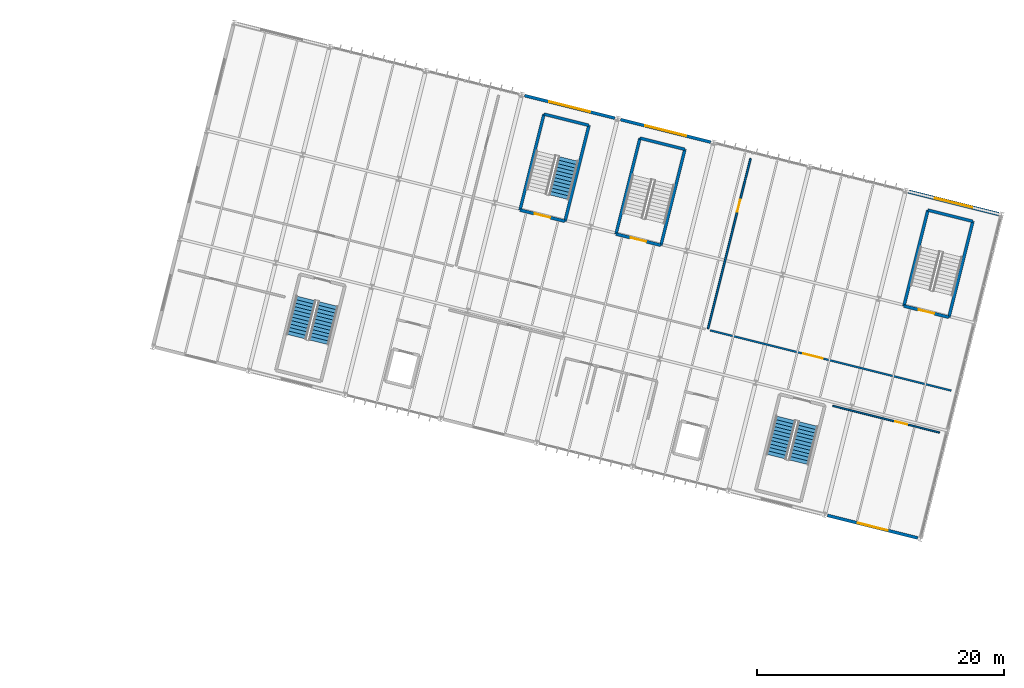
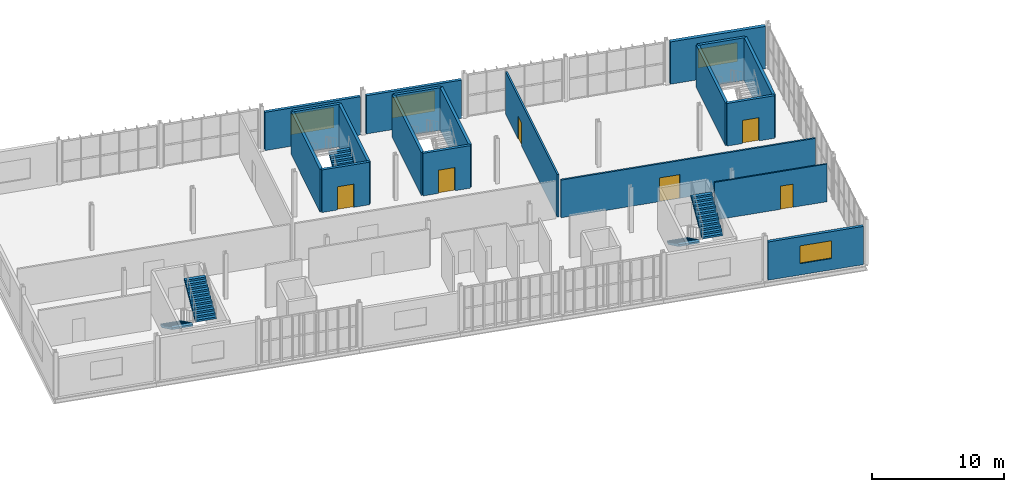
# One storey, part 47 of 61: 19 walls, 6 doors, 5 stair flights, 4 windows, 10 openings, 3 elements without a shape of their own.
"""IFC4 building model written with IfcOpenShell, lengths in metres."""

from ifc_helpers import new_model, si_unit, derived_unit, direction, frame, frame_2d, origin, place, context, subcontext, project, spatial, polyline, rectangle, outline, extrude, material, layer, layer_set, type_object, element, fill, aggregate, save


model = new_model("IFC4")

# Units and contexts
model_context = context("Model", 3, precision=1e-05, world=origin(), true_north=direction((0.0, 1.0)))
body_context = subcontext(model_context, "Body", "Model", "MODEL_VIEW")
ifc_project = project(units=[si_unit("LENGTHUNIT", "METRE"), si_unit("AREAUNIT", "SQUARE_METRE"), si_unit("VOLUMEUNIT", "CUBIC_METRE"), si_unit("PLANEANGLEUNIT", "RADIAN"), si_unit("MASSUNIT", "GRAM", prefix="KILO"), si_unit("THERMODYNAMICTEMPERATUREUNIT", "KELVIN"), si_unit("TIMEUNIT", "SECOND"), derived_unit("THERMALTRANSMITTANCEUNIT", [(si_unit("MASSUNIT", "GRAM", prefix="KILO"), 1), (si_unit("THERMODYNAMICTEMPERATUREUNIT", "KELVIN"), -1), (si_unit("TIMEUNIT", "SECOND"), -3)])], contexts=[model_context])

# Site, building, storey
site_placement = place(None, origin())
site = spatial("IfcSite", under=ifc_project, at=site_placement, CompositionType="ELEMENT")
building_placement = place(site_placement, origin())
building = spatial("IfcBuilding", under=site, at=building_placement, Name="Cambertide Market Hall", CompositionType="ELEMENT")
storey_placement = place(building_placement, frame((0.0, 0.0, 9.89990234375)))
storey = spatial("IfcBuildingStorey", under=building, at=storey_placement, Name="L03", CompositionType="ELEMENT", Elevation=9.89990234375)

# Wall, opening, door
ifc_material_1 = material(Name="Autoclaved Aerated Concrete Blockwork M7.5", Category="masonry")
ifc_layer_1 = layer(ifc_material_1, 0.14990234375, Name="Culinary Classroom Acoustic Partition 150")
ifc_layer_set_1 = layer_set([ifc_layer_1], Name="Autoclaved Aerated Concrete Blockwork M7.5")
wall_type_1 = type_object("IfcWallType", Name="Culinary Classroom Acoustic Partition 150", PredefinedType="PARTITIONING", material=ifc_layer_set_1)
wall_1_placement = place(storey_placement, frame((153.06787109375, 101.3291015625, 0.0), z_axis=(0.0, 0.0, 1.0), x_axis=(0.970142500145, -0.242535625036, 0.0)))
wall_1 = element("IfcWall", 1, at=wall_1_placement, inside=storey, type_object=wall_type_1, Name="Level 3 Interior Wall IW-L03-V4C-3", PredefinedType="PARTITIONING", context=body_context, shape_type="SweptSolid", body=[
    extrude(rectangle(XDim=20.10009765625, YDim=0.14990234375, at=frame_2d((10.050048828125, 0.0))), origin(), (0.0, 0.0, 1.0), 3.4951171875),
])
opening_1_placement = place(wall_1_placement, frame((7.77001953125, 0.0, 0.0)))
opening_1 = element("IfcOpeningElement", 2, at=opening_1_placement, cuts=wall_1, Name="Opening ID-01", PredefinedType="OPENING", context=body_context, shape_type="SweptSolid", body=[
    extrude(rectangle(XDim=1.60009765625, YDim=2.199951171875, at=frame_2d((0.800048828125, 1.10009765625))), frame((0.0, 0.0849609375, 0.0), z_axis=(0.0, -1.0, 0.0), x_axis=(1.0, 0.0, 0.0)), (0.0, 0.0, 1.0), 0.169921875),
])
ifc_material_2 = material(Name="Champagne Marine Anodized Aluminium 6063-T6 AA25", Category="aluminium")
door_type_1 = type_object("IfcDoorType", Name="Classroom & Hall Double Door 1600x2200", OperationType="DOUBLE_DOOR_SINGLE_SWING", PredefinedType="DOOR", material=ifc_material_2)
door_1_placement = place(opening_1_placement, origin())
door_1 = element("IfcDoor", 3, at=door_1_placement, inside=storey, type_object=door_type_1, Name="Level 3 Door IW-L03-V4C-3-DR1", OperationType="DOUBLE_DOOR_SINGLE_SWING", OverallHeight=2.199951171875, OverallWidth=1.60009765625, PredefinedType="DOOR", context=body_context, shape_type="SweptSolid", body=[
    extrude(rectangle(XDim=1.60009765625, YDim=2.199951171875, at=frame_2d((0.800048828125, 1.10009765625))), frame((0.0, 0.02490234375, 0.0), z_axis=(0.0, -1.0, 0.0), x_axis=(1.0, 0.0, 0.0)), (0.0, 0.0, 1.0), 0.050048828125),
])
fill(opening_1, door_1)

wall_2_placement = place(storey_placement, frame((152.893310546875, 101.455322265625, 0.0), z_axis=(0.0, 0.0, 1.0), x_axis=(0.24254371592, 0.970140477388, 0.0)))
wall_2 = element("IfcWall", 4, at=wall_2_placement, inside=storey, type_object=wall_type_1, Name="Level 3 Interior Wall IW-L03-V4DIV-43", PredefinedType="PARTITIONING", context=body_context, shape_type="SweptSolid", body=[
    extrude(rectangle(XDim=14.199951171875, YDim=0.14990234375, at=frame_2d((7.10009765625, 0.0))), origin(), (0.0, 0.0, 1.0), 3.940185546875),
])
opening_2_placement = place(wall_2_placement, frame((9.76806640625, 0.0, 0.0)))
opening_2 = element("IfcOpeningElement", 5, at=opening_2_placement, cuts=wall_2, Name="Opening ID-03", PredefinedType="OPENING", context=body_context, shape_type="SweptSolid", body=[
    extrude(rectangle(XDim=1.0, YDim=2.14990234375, at=frame_2d((0.5, 1.074951171875))), frame((0.0, 0.0849609375, 0.0), z_axis=(0.0, -1.0, 0.0), x_axis=(1.0, 0.0, 0.0)), (0.0, 0.0, 1.0), 0.169921875),
])
ifc_material_3 = material(Name="Champagne Marine Anodized Aluminium 6063-T6 AA25", Category="aluminium")
door_type_2 = type_object("IfcDoorType", Name="Accessible Room Single Door 1000x2150", OperationType="NOTDEFINED", PredefinedType="DOOR", material=ifc_material_3)
door_2_placement = place(opening_2_placement, origin())
door_2 = element("IfcDoor", 6, at=door_2_placement, inside=storey, type_object=door_type_2, Name="Level 3 Door IW-L03-V4DIV-43-DR1", OperationType="SINGLE_SWING_RIGHT", OverallHeight=2.14990234375, OverallWidth=1.0, PredefinedType="DOOR", context=body_context, shape_type="SweptSolid", body=[
    extrude(rectangle(XDim=1.0, YDim=2.14990234375, at=frame_2d((0.5, 1.074951171875))), frame((0.0, 0.02490234375, 0.0), z_axis=(0.0, -1.0, 0.0), x_axis=(1.0, 0.0, 0.0)), (0.0, 0.0, 1.0), 0.050048828125),
])
fill(opening_2, door_2)

# Wall, opening, window
ifc_material_4 = material(Name="Autoclaved Aerated Concrete Blockwork M7.5", Category="masonry")
ifc_layer_2 = layer(ifc_material_4, 0.25, Name="Insulated AAC Exterior Infill Wall 250")
ifc_layer_set_2 = layer_set([ifc_layer_2], Name="Autoclaved Aerated Concrete Blockwork M7.5")
wall_type_2 = type_object("IfcWallType", Name="Insulated AAC Exterior Infill Wall 250", PredefinedType="SOLIDWALL", material=ifc_layer_set_2)
wall_3_placement = place(storey_placement, frame((138.064697265625, 120.314697265625, 0.0), z_axis=(0.0, 0.0, 1.0), x_axis=(0.970146319544, -0.242520346931, 0.0)))
wall_3 = element("IfcWall", 7, at=wall_3_placement, inside=storey, type_object=wall_type_2, Name="Level 3 Exterior Wall EW-L03-V4N-4", PredefinedType="SOLIDWALL", context=body_context, shape_type="SweptSolid", body=[
    extrude(rectangle(XDim=7.52001953125, YDim=0.25, at=frame_2d((3.760009765625, 0.0))), origin(), (0.0, 0.0, 1.0), 3.545166015625),
])
opening_3_placement = place(wall_3_placement, frame((2.06005859375, 0.0, 1.0)))
opening_3 = element("IfcOpeningElement", 8, at=opening_3_placement, cuts=wall_3, Name="Opening WN-08", PredefinedType="OPENING", context=body_context, shape_type="SweptSolid", body=[
    extrude(rectangle(XDim=3.39990234375, YDim=1.89990234375, at=frame_2d((1.699951171875, 0.949951171875))), frame((0.0, 0.135009765625, 0.0), z_axis=(0.0, -1.0, 0.0), x_axis=(1.0, 0.0, 0.0)), (0.0, 0.0, 1.0), 0.27001953125),
])
ifc_material_5 = material(Name="Low-E Laminated Insulated Glass", Category="glass")
window_type_1 = type_object("IfcWindowType", Name="Classroom Daylight Window 3400x1900", PartitioningType="SINGLE_PANEL", PredefinedType="WINDOW", material=ifc_material_5)
window_1_placement = place(opening_3_placement, origin())
window_1 = element("IfcWindow", 9, at=window_1_placement, inside=storey, type_object=window_type_1, Name="Level 3 Window EW-L03-V4N-4-WN", OverallHeight=1.89990234375, OverallWidth=3.39990234375, PartitioningType="SINGLE_PANEL", PredefinedType="WINDOW", context=body_context, shape_type="SweptSolid", body=[
    extrude(rectangle(XDim=3.39990234375, YDim=1.89990234375, at=frame_2d((1.699951171875, 0.949951171875))), frame((0.0, 0.030029296875, 0.0), z_axis=(0.0, -1.0, 0.0), x_axis=(1.0, 0.0, 0.0)), (0.0, 0.0, 1.0), 0.06005859375),
])
fill(opening_3, window_1)

wall_4_placement = place(storey_placement, frame((145.825927734375, 118.37451171875, 0.0), z_axis=(0.0, 0.0, 1.0), x_axis=(0.970138680536, -0.242550902961, 0.0)))
wall_4 = element("IfcWall", 10, at=wall_4_placement, inside=storey, type_object=wall_type_2, Name="Level 3 Exterior Wall EW-L03-V4N-5", PredefinedType="SOLIDWALL", context=body_context, shape_type="SweptSolid", body=[
    extrude(rectangle(XDim=7.52001953125, YDim=0.25, at=frame_2d((3.760009765625, 0.0))), origin(), (0.0, 0.0, 1.0), 3.545166015625),
])
opening_4_placement = place(wall_4_placement, frame((2.06005859375, 0.0, 1.0)))
opening_4 = element("IfcOpeningElement", 11, at=opening_4_placement, cuts=wall_4, Name="Opening WN-08", PredefinedType="OPENING", context=body_context, shape_type="SweptSolid", body=[
    extrude(rectangle(XDim=3.39990234375, YDim=1.89990234375, at=frame_2d((1.699951171875, 0.949951171875))), frame((0.0, 0.135009765625, 0.0), z_axis=(0.0, -1.0, 0.0), x_axis=(1.0, 0.0, 0.0)), (0.0, 0.0, 1.0), 0.27001953125),
])
window_2_placement = place(opening_4_placement, origin())
window_2 = element("IfcWindow", 12, at=window_2_placement, inside=storey, type_object=window_type_1, Name="Level 3 Window EW-L03-V4N-5-WN", OverallHeight=1.89990234375, OverallWidth=3.39990234375, PartitioningType="SINGLE_PANEL", PredefinedType="WINDOW", context=body_context, shape_type="SweptSolid", body=[
    extrude(rectangle(XDim=3.39990234375, YDim=1.89990234375, at=frame_2d((1.699951171875, 0.949951171875))), frame((0.0, 0.030029296875, 0.0), z_axis=(0.0, -1.0, 0.0), x_axis=(1.0, 0.0, 0.0)), (0.0, 0.0, 1.0), 0.06005859375),
])
fill(opening_4, window_2)

wall_5_placement = place(storey_placement, frame((169.856201171875, 84.535888671875, 0.0), z_axis=(0.0, 0.0, 1.0), x_axis=(-0.970138680536, 0.242550902961, 0.0)))
wall_5 = element("IfcWall", 13, at=wall_5_placement, inside=storey, type_object=wall_type_2, Name="Level 3 Exterior Wall EW-L03-V4S-8", PredefinedType="SOLIDWALL", context=body_context, shape_type="SweptSolid", body=[
    extrude(rectangle(XDim=7.52001953125, YDim=0.25, at=frame_2d((3.760009765625, 0.0))), origin(), (0.0, 0.0, 1.0), 3.545166015625),
])
opening_5_placement = place(wall_5_placement, frame((2.510009765625, 0.0, 1.050048828125)))
opening_5 = element("IfcOpeningElement", 14, at=opening_5_placement, cuts=wall_5, Name="Opening WN-09", PredefinedType="OPENING", context=body_context, shape_type="SweptSolid", body=[
    extrude(rectangle(XDim=2.5, YDim=1.64990234375, at=frame_2d((1.25, 0.824951171875))), frame((0.0, 0.135009765625, 0.0), z_axis=(0.0, -1.0, 0.0), x_axis=(1.0, 0.0, 0.0)), (0.0, 0.0, 1.0), 0.27001953125),
])
ifc_material_6 = material(Name="Low-E Laminated Insulated Glass", Category="glass")
window_type_2 = type_object("IfcWindowType", Name="Market Admin Office Window 2500x1650", PartitioningType="SINGLE_PANEL", PredefinedType="WINDOW", material=ifc_material_6)
window_3_placement = place(opening_5_placement, origin())
window_3 = element("IfcWindow", 15, at=window_3_placement, inside=storey, type_object=window_type_2, Name="Level 3 Window EW-L03-V4S-8-WN", OverallHeight=1.64990234375, OverallWidth=2.5, PartitioningType="SINGLE_PANEL", PredefinedType="WINDOW", context=body_context, shape_type="SweptSolid", body=[
    extrude(rectangle(XDim=2.5, YDim=1.64990234375, at=frame_2d((1.25, 0.824951171875))), frame((0.0, 0.030029296875, 0.0), z_axis=(0.0, -1.0, 0.0), x_axis=(1.0, 0.0, 0.0)), (0.0, 0.0, 1.0), 0.06005859375),
])
fill(opening_5, window_3)

# Wall, opening, door
ifc_material_7 = material(Name="Autoclaved Aerated Concrete Blockwork M7.5", Category="masonry")
ifc_layer_3 = layer(ifc_material_7, 0.125, Name="Market Stall & Office Partition 125")
ifc_layer_set_3 = layer_set([ifc_layer_3], Name="Autoclaved Aerated Concrete Blockwork M7.5")
wall_type_3 = type_object("IfcWallType", Name="Market Stall & Office Partition 125", PredefinedType="PARTITIONING", material=ifc_layer_set_3)
wall_6_placement = place(storey_placement, frame((162.98291015625, 95.22216796875, 0.0), z_axis=(0.0, 0.0, 1.0), x_axis=(0.970139272835, -0.242548533914, 0.0)))
wall_6 = element("IfcWall", 16, at=wall_6_placement, inside=storey, type_object=wall_type_3, Name="Level 3 Interior Wall IW-L03-V4S3", PredefinedType="PARTITIONING", context=body_context, shape_type="SweptSolid", body=[
    extrude(rectangle(XDim=8.900146484375, YDim=0.125, at=frame_2d((4.4501953125, 0.0))), origin(), (0.0, 0.0, 1.0), 3.4951171875),
])
opening_6_placement = place(wall_6_placement, frame((5.214111328125, 0.0, 0.0)))
opening_6 = element("IfcOpeningElement", 17, at=opening_6_placement, cuts=wall_6, Name="Opening ID-03", PredefinedType="OPENING", context=body_context, shape_type="SweptSolid", body=[
    extrude(rectangle(XDim=1.0, YDim=2.14990234375, at=frame_2d((0.5, 1.074951171875))), frame((0.0, 0.072509765625, 0.0), z_axis=(0.0, -1.0, 0.0), x_axis=(1.0, 0.0, 0.0)), (0.0, 0.0, 1.0), 0.14501953125),
])
door_3_placement = place(opening_6_placement, origin())
door_3 = element("IfcDoor", 18, at=door_3_placement, inside=storey, type_object=door_type_2, Name="Level 3 Door IW-L03-V4S3-DR1", OperationType="SINGLE_SWING_RIGHT", OverallHeight=2.14990234375, OverallWidth=1.0, PredefinedType="DOOR", context=body_context, shape_type="SweptSolid", body=[
    extrude(rectangle(XDim=1.0, YDim=2.14990234375, at=frame_2d((0.5, 1.074951171875))), frame((0.0, 0.02490234375, 0.0), z_axis=(0.0, -1.0, 0.0), x_axis=(1.0, 0.0, 0.0)), (0.0, 0.0, 1.0), 0.050048828125),
])
fill(opening_6, door_3)

ifc_material_8 = material(Name="Concrete B35", Category="concrete")
ifc_layer_4 = layer(ifc_material_8, 0.239990234375, Name="Stair & Lift Core Shaft Wall 240")
ifc_layer_set_4 = layer_set([ifc_layer_4], Name="Concrete B35")
wall_type_4 = type_object("IfcWallType", Name="Stair & Lift Core Shaft Wall 240", PredefinedType="SOLIDWALL", material=ifc_layer_set_4)
wall_7_placement = place(storey_placement, frame((141.33056640625, 110.14404296875, 0.0), z_axis=(0.0, 0.0, 1.0), x_axis=(-0.970134840723, 0.242566260672, 0.0)))
wall_7 = element("IfcWall", 19, at=wall_7_placement, inside=storey, type_object=wall_type_4, Name="Level 3 Interior Wall SHW-ST-07B-L03-NEAR", PredefinedType="SOLIDWALL", context=body_context, shape_type="SweptSolid", body=[
    extrude(rectangle(XDim=3.750244140625, YDim=0.239990234375, at=frame_2d((1.875, 0.0))), origin(), (0.0, 0.0, 1.0), 3.945068359375),
])
opening_7_placement = place(wall_7_placement, frame((1.22509765625, 0.0, 0.0)))
opening_7 = element("IfcOpeningElement", 20, at=opening_7_placement, cuts=wall_7, Name="Opening FD-01", PredefinedType="OPENING", context=body_context, shape_type="SweptSolid", body=[
    extrude(rectangle(XDim=1.300048828125, YDim=2.14990234375, at=frame_2d((0.64990234375, 1.074951171875))), frame((0.0, 0.1298828125, 0.0), z_axis=(0.0, -1.0, 0.0), x_axis=(1.0, 0.0, 0.0)), (0.0, 0.0, 1.0), 0.260009765625),
])
ifc_material_9 = material(Name="Powder-Coated Galvanized Sheet Metal", Category="metal")
door_type_3 = type_object("IfcDoorType", Name="Stair Core Fire Door 1300x2150", OperationType="NOTDEFINED", PredefinedType="DOOR", material=ifc_material_9)
door_4_placement = place(opening_7_placement, origin())
door_4 = element("IfcDoor", 21, at=door_4_placement, inside=storey, type_object=door_type_3, Name="Level 3 Door SHW-ST-07B-L03-NEAR-DR1", OperationType="SINGLE_SWING_LEFT", OverallHeight=2.14990234375, OverallWidth=1.300048828125, PredefinedType="DOOR", context=body_context, shape_type="SweptSolid", body=[
    extrude(rectangle(XDim=1.300048828125, YDim=2.14990234375, at=frame_2d((0.64990234375, 1.074951171875))), frame((0.0, 0.02490234375, 0.0), z_axis=(0.0, -1.0, 0.0), x_axis=(1.0, 0.0, 0.0)), (0.0, 0.0, 1.0), 0.050048828125),
])
fill(opening_7, door_4)

# Walls
wall_8_placement = place(storey_placement, frame((143.270751953125, 117.9052734375, 0.0), z_axis=(0.0, 0.0, 1.0), x_axis=(-0.242521263911, -0.970146090314, 0.0)))
element("IfcWall", 22, at=wall_8_placement, inside=storey, type_object=wall_type_4, Name="Level 3 Interior Wall SHW-ST-07B-L03-L", PredefinedType="SOLIDWALL", context=body_context, shape_type="SweptSolid", body=[
    extrude(rectangle(XDim=8.0, YDim=0.239990234375, at=frame_2d((4.0, 0.0))), origin(), (0.0, 0.0, 1.0), 3.945068359375),
])
wall_9_placement = place(storey_placement, frame((139.6328125, 118.814697265625, 0.0), z_axis=(0.0, 0.0, 1.0), x_axis=(0.970146329796, -0.242520305918, 0.0)))
element("IfcWall", 23, at=wall_9_placement, inside=storey, type_object=wall_type_4, Name="Level 3 Interior Wall SHW-ST-07B-L03-FAR", PredefinedType="SOLIDWALL", context=body_context, shape_type="SweptSolid", body=[
    extrude(rectangle(XDim=3.75, YDim=0.239990234375, at=frame_2d((1.875, 0.0))), origin(), (0.0, 0.0, 1.0), 3.945068359375),
])
wall_10_placement = place(storey_placement, frame((137.6923828125, 111.0537109375, 0.0), z_axis=(0.0, 0.0, 1.0), x_axis=(0.242557167103, 0.970137114374, 0.0)))
element("IfcWall", 24, at=wall_10_placement, inside=storey, type_object=wall_type_4, Name="Level 3 Interior Wall SHW-ST-07B-L03-R", PredefinedType="SOLIDWALL", context=body_context, shape_type="SweptSolid", body=[
    extrude(rectangle(XDim=8.0, YDim=0.239990234375, at=frame_2d((4.0, 0.0))), origin(), (0.0, 0.0, 1.0), 3.945068359375),
])

# Wall, opening, door
wall_11_placement = place(storey_placement, frame((172.375, 102.3828125, 0.0), z_axis=(0.0, 0.0, 1.0), x_axis=(-0.970131009923, 0.242581581301, 0.0)))
wall_11 = element("IfcWall", 25, at=wall_11_placement, inside=storey, type_object=wall_type_4, Name="Level 3 Interior Wall SHW-ST-08B-L03-NEAR", PredefinedType="SOLIDWALL", context=body_context, shape_type="SweptSolid", body=[
    extrude(rectangle(XDim=3.75, YDim=0.239990234375, at=frame_2d((1.875, 0.0))), origin(), (0.0, 0.0, 1.0), 3.945068359375),
])
opening_8_placement = place(wall_11_placement, frame((1.22509765625, 0.0, 0.0)))
opening_8 = element("IfcOpeningElement", 26, at=opening_8_placement, cuts=wall_11, Name="Opening FD-01", PredefinedType="OPENING", context=body_context, shape_type="SweptSolid", body=[
    extrude(rectangle(XDim=1.300048828125, YDim=2.14990234375, at=frame_2d((0.64990234375, 1.074951171875))), frame((0.0, 0.1298828125, 0.0), z_axis=(0.0, -1.0, 0.0), x_axis=(1.0, 0.0, 0.0)), (0.0, 0.0, 1.0), 0.260009765625),
])
door_5_placement = place(opening_8_placement, origin())
door_5 = element("IfcDoor", 27, at=door_5_placement, inside=storey, type_object=door_type_3, Name="Level 3 Door SHW-ST-08B-L03-NEAR-DR1", OperationType="SINGLE_SWING_LEFT", OverallHeight=2.14990234375, OverallWidth=1.300048828125, PredefinedType="DOOR", context=body_context, shape_type="SweptSolid", body=[
    extrude(rectangle(XDim=1.300048828125, YDim=2.14990234375, at=frame_2d((0.64990234375, 1.074951171875))), frame((0.0, 0.02490234375, 0.0), z_axis=(0.0, -1.0, 0.0), x_axis=(1.0, 0.0, 0.0)), (0.0, 0.0, 1.0), 0.050048828125),
])
fill(opening_8, door_5)

# Walls
wall_12_placement = place(storey_placement, frame((174.315185546875, 110.14404296875, 0.0), z_axis=(0.0, 0.0, 1.0), x_axis=(-0.242521263911, -0.970146090314, 0.0)))
element("IfcWall", 28, at=wall_12_placement, inside=storey, type_object=wall_type_4, Name="Level 3 Interior Wall SHW-ST-08B-L03-L", PredefinedType="SOLIDWALL", context=body_context, shape_type="SweptSolid", body=[
    extrude(rectangle(XDim=8.0, YDim=0.239990234375, at=frame_2d((4.0, 0.0))), origin(), (0.0, 0.0, 1.0), 3.945068359375),
])
wall_13_placement = place(storey_placement, frame((170.67724609375, 111.0537109375, 0.0), z_axis=(0.0, 0.0, 1.0), x_axis=(0.970131009923, -0.242581581301, 0.0)))
element("IfcWall", 29, at=wall_13_placement, inside=storey, type_object=wall_type_4, Name="Level 3 Interior Wall SHW-ST-08B-L03-FAR", PredefinedType="SOLIDWALL", context=body_context, shape_type="SweptSolid", body=[
    extrude(rectangle(XDim=3.75, YDim=0.239990234375, at=frame_2d((1.875, 0.0))), origin(), (0.0, 0.0, 1.0), 3.945068359375),
])
wall_14_placement = place(storey_placement, frame((168.737060546875, 103.29248046875, 0.0), z_axis=(0.0, 0.0, 1.0), x_axis=(0.242521263911, 0.970146090314, 0.0)))
element("IfcWall", 30, at=wall_14_placement, inside=storey, type_object=wall_type_4, Name="Level 3 Interior Wall SHW-ST-08B-L03-R", PredefinedType="SOLIDWALL", context=body_context, shape_type="SweptSolid", body=[
    extrude(rectangle(XDim=8.0, YDim=0.239990234375, at=frame_2d((4.0, 0.0))), origin(), (0.0, 0.0, 1.0), 3.945068359375),
])

# Wall, opening, door
wall_15_placement = place(storey_placement, frame((149.091552734375, 108.203857421875, 0.0), z_axis=(0.0, 0.0, 1.0), x_axis=(-0.970146329796, 0.242520305918, 0.0)))
wall_15 = element("IfcWall", 31, at=wall_15_placement, inside=storey, type_object=wall_type_4, Name="Level 3 Interior Wall SHW-ST-09-L03-NEAR", PredefinedType="SOLIDWALL", context=body_context, shape_type="SweptSolid", body=[
    extrude(rectangle(XDim=3.75, YDim=0.239990234375, at=frame_2d((1.875, 0.0))), origin(), (0.0, 0.0, 1.0), 3.945068359375),
])
opening_9_placement = place(wall_15_placement, frame((1.22509765625, 0.0, 0.0)))
opening_9 = element("IfcOpeningElement", 32, at=opening_9_placement, cuts=wall_15, Name="Opening FD-01", PredefinedType="OPENING", context=body_context, shape_type="SweptSolid", body=[
    extrude(rectangle(XDim=1.300048828125, YDim=2.14990234375, at=frame_2d((0.64990234375, 1.074951171875))), frame((0.0, 0.1298828125, 0.0), z_axis=(0.0, -1.0, 0.0), x_axis=(1.0, 0.0, 0.0)), (0.0, 0.0, 1.0), 0.260009765625),
])
door_6_placement = place(opening_9_placement, origin())
door_6 = element("IfcDoor", 33, at=door_6_placement, inside=storey, type_object=door_type_3, Name="Level 3 Door SHW-ST-09-L03-NEAR-DR1", OperationType="SINGLE_SWING_LEFT", OverallHeight=2.14990234375, OverallWidth=1.300048828125, PredefinedType="DOOR", context=body_context, shape_type="SweptSolid", body=[
    extrude(rectangle(XDim=1.300048828125, YDim=2.14990234375, at=frame_2d((0.64990234375, 1.074951171875))), frame((0.0, 0.02490234375, 0.0), z_axis=(0.0, -1.0, 0.0), x_axis=(1.0, 0.0, 0.0)), (0.0, 0.0, 1.0), 0.050048828125),
])
fill(opening_9, door_6)

# Walls
wall_16_placement = place(storey_placement, frame((151.031982421875, 115.96484375, 0.0), z_axis=(0.0, 0.0, 1.0), x_axis=(-0.242557167103, -0.970137114374, 0.0)))
element("IfcWall", 34, at=wall_16_placement, inside=storey, type_object=wall_type_4, Name="Level 3 Interior Wall SHW-ST-09-L03-L", PredefinedType="SOLIDWALL", context=body_context, shape_type="SweptSolid", body=[
    extrude(rectangle(XDim=8.0, YDim=0.239990234375, at=frame_2d((4.0, 0.0))), origin(), (0.0, 0.0, 1.0), 3.945068359375),
])
wall_17_placement = place(storey_placement, frame((147.393798828125, 116.87451171875, 0.0), z_axis=(0.0, 0.0, 1.0), x_axis=(0.970134840723, -0.242566260672, 0.0)))
element("IfcWall", 35, at=wall_17_placement, inside=storey, type_object=wall_type_4, Name="Level 3 Interior Wall SHW-ST-09-L03-FAR", PredefinedType="SOLIDWALL", context=body_context, shape_type="SweptSolid", body=[
    extrude(rectangle(XDim=3.750244140625, YDim=0.239990234375, at=frame_2d((1.875, 0.0))), origin(), (0.0, 0.0, 1.0), 3.945068359375),
])
wall_18_placement = place(storey_placement, frame((145.45361328125, 109.11328125, 0.0), z_axis=(0.0, 0.0, 1.0), x_axis=(0.242521263911, 0.970146090314, 0.0)))
element("IfcWall", 36, at=wall_18_placement, inside=storey, type_object=wall_type_4, Name="Level 3 Interior Wall SHW-ST-09-L03-R", PredefinedType="SOLIDWALL", context=body_context, shape_type="SweptSolid", body=[
    extrude(rectangle(XDim=8.0, YDim=0.239990234375, at=frame_2d((4.0, 0.0))), origin(), (0.0, 0.0, 1.0), 3.945068359375),
])

# Wall, opening, window
ifc_material_10 = material(Name="Concrete B35", Category="concrete")
ifc_layer_5 = layer(ifc_material_10, 0.300048828125, Name="Structural Facade Shear Wall 300")
ifc_layer_set_5 = layer_set([ifc_layer_5], Name="Concrete B35")
wall_type_5 = type_object("IfcWallType", Name="Structural Facade Shear Wall 300", PredefinedType="SHEAR", material=ifc_layer_set_5)
wall_19_placement = place(storey_placement, frame((169.109375, 112.5537109375, 0.0), z_axis=(0.0, 0.0, 1.0), x_axis=(0.970138680536, -0.242550902961, 0.0)))
wall_19 = element("IfcWall", 37, at=wall_19_placement, inside=storey, type_object=wall_type_5, Name="Level 3 Exterior Wall EW-L03-V4N-8", PredefinedType="SHEAR", context=body_context, shape_type="SweptSolid", body=[
    extrude(rectangle(XDim=7.52001953125, YDim=0.300048828125, at=frame_2d((3.760009765625, 0.0))), origin(), (0.0, 0.0, 1.0), 3.920166015625),
])
opening_10_placement = place(wall_19_placement, frame((2.2099609375, 0.0, 1.0)))
opening_10 = element("IfcOpeningElement", 38, at=opening_10_placement, cuts=wall_19, Name="Opening WN-08B", PredefinedType="OPENING", context=body_context, shape_type="SweptSolid", body=[
    extrude(rectangle(XDim=3.10009765625, YDim=1.75, at=frame_2d((1.550048828125, 0.875))), frame((0.0, 0.159912109375, 0.0), z_axis=(0.0, -1.0, 0.0), x_axis=(1.0, 0.0, 0.0)), (0.0, 0.0, 1.0), 0.320068359375),
])
ifc_material_11 = material(Name="Low-E Laminated Insulated Glass", Category="glass")
window_type_3 = type_object("IfcWindowType", Name="Workshop Louver Window 3100x1750", PartitioningType="SINGLE_PANEL", PredefinedType="WINDOW", material=ifc_material_11)
window_4_placement = place(opening_10_placement, origin())
window_4 = element("IfcWindow", 39, at=window_4_placement, inside=storey, type_object=window_type_3, Name="Level 3 Window EW-L03-V4N-8-WN", OverallHeight=1.75, OverallWidth=3.10009765625, PartitioningType="SINGLE_PANEL", PredefinedType="WINDOW", context=body_context, shape_type="SweptSolid", body=[
    extrude(rectangle(XDim=3.10009765625, YDim=1.75, at=frame_2d((1.550048828125, 0.875))), frame((0.0, 0.030029296875, 0.0), z_axis=(0.0, -1.0, 0.0), x_axis=(1.0, 0.0, 0.0)), (0.0, 0.0, 1.0), 0.06005859375),
])
fill(opening_10, window_4)

# Stair, stair flights
ifc_material_12 = material(Name="Concrete B35", Category="concrete")
stair_type_1 = type_object("IfcStairType", Name="Concrete Dogleg Stair ST-07A", PredefinedType="HALF_TURN_STAIR", material=ifc_material_12)
stair_1_placement = place(storey_placement, origin())
stair_1 = element("IfcStair", 40, at=stair_1_placement, inside=storey, type_object=stair_type_1, Name="Level 3 Exit Stair Core 07A", PredefinedType="HALF_TURN_STAIR")
ifc_material_13 = material(Name="Concrete B35", Category="concrete")
stair_flight_type_1 = type_object("IfcStairFlightType", Name="Concrete Stair Flight ST-07A", PredefinedType="STRAIGHT", material=ifc_material_13)
stair_flight_1_placement = place(storey_placement, frame((120.3935546875, 103.910888671875, 0.0), z_axis=(0.0, 0.0, 1.0), x_axis=(-0.242535617113, -0.970142502126, 0.0)))
stair_flight_1 = element("IfcStairFlight", 41, at=stair_flight_1_placement, type_object=stair_flight_type_1, Name="ST-07A flight 1", NumberOfRisers=12, NumberOfTreads=11, PredefinedType="STRAIGHT", RiserHeight=0.175, TreadLength=0.29, context=body_context, shape_type="SweptSolid", body=[
    extrude(outline(polyline([(0.0, 0.0), (0.0, 0.175048828125), (0.2900390625, 0.175048828125), (0.2900390625, 0.35009765625), (0.580078125, 0.35009765625), (0.580078125, 0.52490234375), (0.8701171875, 0.52490234375), (0.8701171875, 0.699951171875), (1.159912109375, 0.699951171875), (1.159912109375, 0.875), (1.449951171875, 0.875), (1.449951171875, 1.050048828125), (1.739990234375, 1.050048828125), (1.739990234375, 1.22509765625), (2.030029296875, 1.22509765625), (2.030029296875, 1.39990234375), (2.320068359375, 1.39990234375), (2.320068359375, 1.574951171875), (2.610107421875, 1.574951171875), (2.610107421875, 1.75), (2.89990234375, 1.75), (2.89990234375, 1.925048828125), (3.18994140625, 1.925048828125), (3.18994140625, 2.10009765625), (3.18994140625, 1.75), (0.2900390625, 0.0), (0.0, 0.0)])), frame((0.0, 0.824951171875, 0.0), z_axis=(0.0, -1.0, 0.0), x_axis=(1.0, 0.0, 0.0)), (0.0, 0.0, 1.0), 1.64990234375),
])
stair_flight_2_placement = place(storey_placement, frame((121.41455078125, 100.367431640625, 2.10009765625), z_axis=(0.0, 0.0, 1.0), x_axis=(0.242535617113, 0.970142502126, 0.0)))
stair_flight_2 = element("IfcStairFlight", 42, at=stair_flight_2_placement, type_object=stair_flight_type_1, Name="ST-07A flight 2", NumberOfRisers=12, NumberOfTreads=11, PredefinedType="STRAIGHT", RiserHeight=0.175, TreadLength=0.29, context=body_context, shape_type="SweptSolid", body=[
    extrude(outline(polyline([(0.0, 0.0), (0.0, 0.175048828125), (0.2900390625, 0.175048828125), (0.2900390625, 0.35009765625), (0.580078125, 0.35009765625), (0.580078125, 0.52490234375), (0.8701171875, 0.52490234375), (0.8701171875, 0.699951171875), (1.159912109375, 0.699951171875), (1.159912109375, 0.875), (1.449951171875, 0.875), (1.449951171875, 1.050048828125), (1.739990234375, 1.050048828125), (1.739990234375, 1.22509765625), (2.030029296875, 1.22509765625), (2.030029296875, 1.39990234375), (2.320068359375, 1.39990234375), (2.320068359375, 1.574951171875), (2.610107421875, 1.574951171875), (2.610107421875, 1.75), (2.89990234375, 1.75), (2.89990234375, 1.925048828125), (3.18994140625, 1.925048828125), (3.18994140625, 2.10009765625), (3.18994140625, 1.75), (0.2900390625, 0.0), (0.0, 0.0)])), frame((0.0, 0.824951171875, 0.0), z_axis=(0.0, -1.0, 0.0), x_axis=(1.0, 0.0, 0.0)), (0.0, 0.0, 1.0), 1.64990234375),
])
aggregate(stair_1, [stair_flight_1, stair_flight_2])

# Stair, stair flight
ifc_material_14 = material(Name="Concrete B35", Category="concrete")
stair_type_2 = type_object("IfcStairType", Name="Concrete Dogleg Stair ST-07B", PredefinedType="HALF_TURN_STAIR", material=ifc_material_14)
stair_2_placement = place(storey_placement, origin())
stair_2 = element("IfcStair", 43, at=stair_2_placement, inside=storey, type_object=stair_type_2, Name="Level 3 Exit Stair Core 07B", PredefinedType="HALF_TURN_STAIR")
ifc_material_15 = material(Name="Concrete B35", Category="concrete")
stair_flight_type_2 = type_object("IfcStairFlightType", Name="Concrete Stair Flight ST-07B", PredefinedType="STRAIGHT", material=ifc_material_15)
stair_flight_3_placement = place(storey_placement, frame((140.83935546875, 112.096435546875, 0.0), z_axis=(0.0, 0.0, 1.0), x_axis=(0.242535617113, 0.970142502126, 0.0)))
stair_flight_3 = element("IfcStairFlight", 44, at=stair_flight_3_placement, type_object=stair_flight_type_2, Name="ST-07B flight 1", NumberOfRisers=12, NumberOfTreads=11, PredefinedType="STRAIGHT", RiserHeight=0.175, TreadLength=0.29, context=body_context, shape_type="SweptSolid", body=[
    extrude(outline(polyline([(0.0, 0.0), (0.0, 0.175048828125), (0.2900390625, 0.175048828125), (0.2900390625, 0.35009765625), (0.580078125, 0.35009765625), (0.580078125, 0.52490234375), (0.8701171875, 0.52490234375), (0.8701171875, 0.699951171875), (1.159912109375, 0.699951171875), (1.159912109375, 0.875), (1.449951171875, 0.875), (1.449951171875, 1.050048828125), (1.739990234375, 1.050048828125), (1.739990234375, 1.22509765625), (2.030029296875, 1.22509765625), (2.030029296875, 1.39990234375), (2.320068359375, 1.39990234375), (2.320068359375, 1.574951171875), (2.610107421875, 1.574951171875), (2.610107421875, 1.75), (2.89990234375, 1.75), (2.89990234375, 1.925048828125), (3.18994140625, 1.925048828125), (3.18994140625, 2.10009765625), (3.18994140625, 1.75), (0.2900390625, 0.0), (0.0, 0.0)])), frame((0.0, 0.824951171875, 0.0), z_axis=(0.0, -1.0, 0.0), x_axis=(1.0, 0.0, 0.0)), (0.0, 0.0, 1.0), 1.64990234375),
])
aggregate(stair_2, [stair_flight_3])

# Stair, stair flights
ifc_material_16 = material(Name="Concrete B35", Category="concrete")
stair_type_3 = type_object("IfcStairType", Name="Concrete Dogleg Stair ST-08A", PredefinedType="HALF_TURN_STAIR", material=ifc_material_16)
stair_3_placement = place(storey_placement, origin())
stair_3 = element("IfcStair", 45, at=stair_3_placement, inside=storey, type_object=stair_type_3, Name="Level 3 Exit Stair Core 08A", PredefinedType="HALF_TURN_STAIR")
ifc_material_17 = material(Name="Concrete B35", Category="concrete")
stair_flight_type_3 = type_object("IfcStairFlightType", Name="Concrete Stair Flight ST-08A", PredefinedType="STRAIGHT", material=ifc_material_17)
stair_flight_4_placement = place(storey_placement, frame((159.19921875, 94.20947265625, 0.0), z_axis=(0.0, 0.0, 1.0), x_axis=(-0.242535617113, -0.970142502126, 0.0)))
stair_flight_4 = element("IfcStairFlight", 46, at=stair_flight_4_placement, type_object=stair_flight_type_3, Name="ST-08A flight 1", NumberOfRisers=12, NumberOfTreads=11, PredefinedType="STRAIGHT", RiserHeight=0.175, TreadLength=0.29, context=body_context, shape_type="SweptSolid", body=[
    extrude(outline(polyline([(0.0, 0.0), (0.0, 0.175048828125), (0.2900390625, 0.175048828125), (0.2900390625, 0.35009765625), (0.580078125, 0.35009765625), (0.580078125, 0.52490234375), (0.8701171875, 0.52490234375), (0.8701171875, 0.699951171875), (1.159912109375, 0.699951171875), (1.159912109375, 0.875), (1.449951171875, 0.875), (1.449951171875, 1.050048828125), (1.739990234375, 1.050048828125), (1.739990234375, 1.22509765625), (2.030029296875, 1.22509765625), (2.030029296875, 1.39990234375), (2.320068359375, 1.39990234375), (2.320068359375, 1.574951171875), (2.610107421875, 1.574951171875), (2.610107421875, 1.75), (2.89990234375, 1.75), (2.89990234375, 1.925048828125), (3.18994140625, 1.925048828125), (3.18994140625, 2.10009765625), (3.18994140625, 1.75), (0.2900390625, 0.0), (0.0, 0.0)])), frame((0.0, 0.824951171875, 0.0), z_axis=(0.0, -1.0, 0.0), x_axis=(1.0, 0.0, 0.0)), (0.0, 0.0, 1.0), 1.64990234375),
])
stair_flight_5_placement = place(storey_placement, frame((160.220458984375, 90.666015625, 2.10009765625), z_axis=(0.0, 0.0, 1.0), x_axis=(0.242535617113, 0.970142502126, 0.0)))
stair_flight_5 = element("IfcStairFlight", 47, at=stair_flight_5_placement, type_object=stair_flight_type_3, Name="ST-08A flight 2", NumberOfRisers=12, NumberOfTreads=11, PredefinedType="STRAIGHT", RiserHeight=0.175, TreadLength=0.29, context=body_context, shape_type="SweptSolid", body=[
    extrude(outline(polyline([(0.0, 0.0), (0.0, 0.175048828125), (0.2900390625, 0.175048828125), (0.2900390625, 0.35009765625), (0.580078125, 0.35009765625), (0.580078125, 0.52490234375), (0.8701171875, 0.52490234375), (0.8701171875, 0.699951171875), (1.159912109375, 0.699951171875), (1.159912109375, 0.875), (1.449951171875, 0.875), (1.449951171875, 1.050048828125), (1.739990234375, 1.050048828125), (1.739990234375, 1.22509765625), (2.030029296875, 1.22509765625), (2.030029296875, 1.39990234375), (2.320068359375, 1.39990234375), (2.320068359375, 1.574951171875), (2.610107421875, 1.574951171875), (2.610107421875, 1.75), (2.89990234375, 1.75), (2.89990234375, 1.925048828125), (3.18994140625, 1.925048828125), (3.18994140625, 2.10009765625), (3.18994140625, 1.75), (0.2900390625, 0.0), (0.0, 0.0)])), frame((0.0, 0.824951171875, 0.0), z_axis=(0.0, -1.0, 0.0), x_axis=(1.0, 0.0, 0.0)), (0.0, 0.0, 1.0), 1.64990234375),
])
aggregate(stair_3, [stair_flight_4, stair_flight_5])

save(model, "model.ifc")
